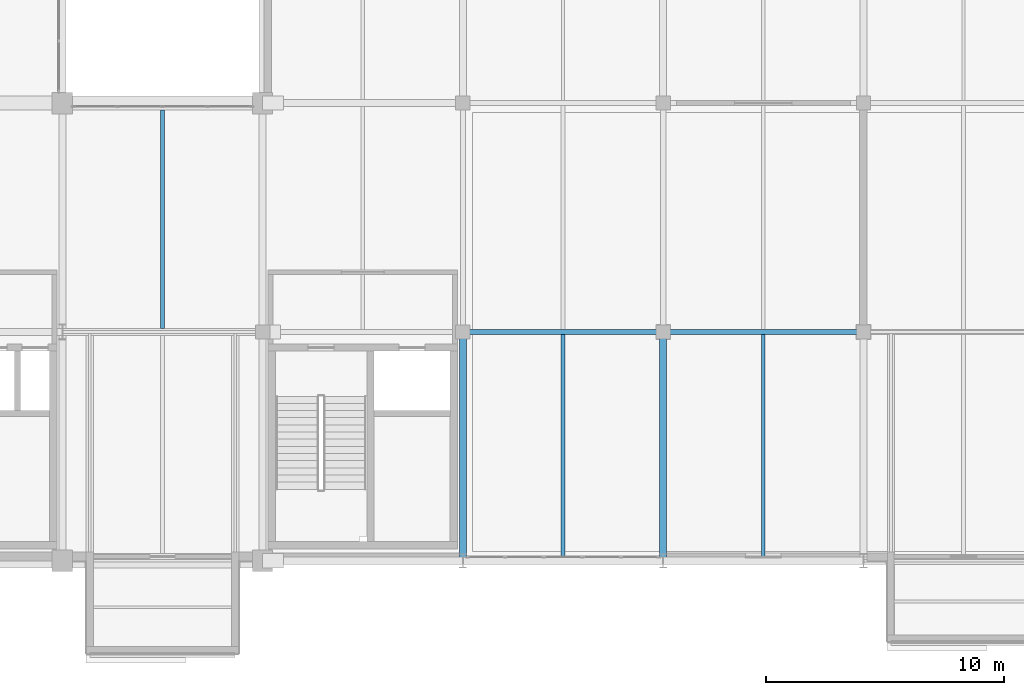
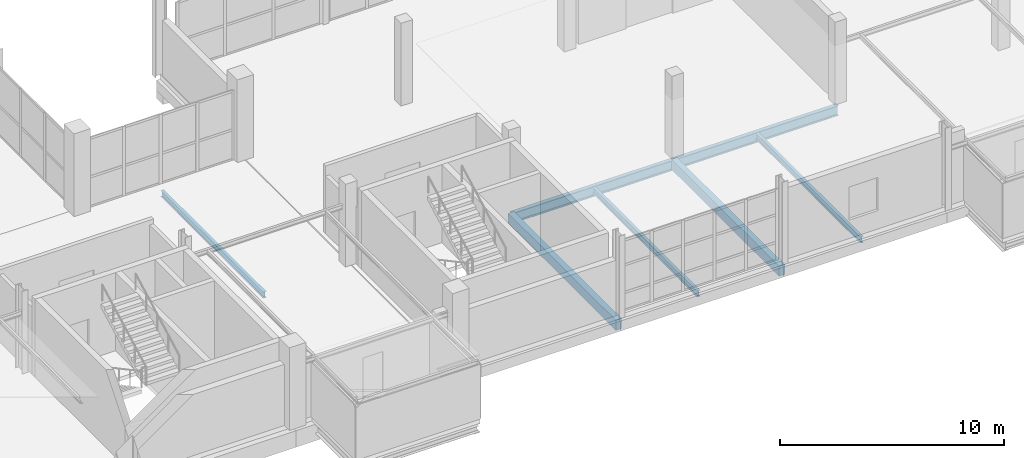
# One storey, part 53 of 130: 7 beams.
"""IFC4 building model written with IfcOpenShell, lengths in metres."""

import ifcopenshell
import ifcopenshell.guid

model = None  # the IFC model being written
_history = None  # IfcOwnerHistory: only IFC2X3 demands one
_inside = {}  # id of a spatial element -> (the spatial element, [elements in it])
_under = {}  # id of a project, library or spatial element -> (it, [spatial elements below it])
_declared = {}  # id of a project -> (the project, [libraries it declares])
_typed = {}  # id of a type object -> (the type object, [elements of that type])
_made_of = {}  # id of a material, layer set ... -> (it, [elements and type objects made of it])


def new_model(schema):
    """Start an empty IFC model of exactly this schema.

    Asked for "IFC4X3", IfcOpenShell would pick the latest addendum, in which some entities
    have other attributes; the version numbers below select the first issue.
    IFC2X3 requires an IfcOwnerHistory on every rooted entity: one is made here for all.
    """
    global model, _history
    if schema == "IFC4X3":
        model = ifcopenshell.file(schema_version=(4, 3, 0, 0))
    else:
        model = ifcopenshell.file(schema=schema)
    _inside.clear()
    _under.clear()
    _declared.clear()
    _typed.clear()
    _made_of.clear()
    _history = None
    if model.schema == "IFC2X3":
        org = make("IfcOrganization", Name="unknown")
        user = make(
            "IfcPersonAndOrganization",
            ThePerson=make("IfcPerson", FamilyName="unknown"),
            TheOrganization=org,
        )
        app = make(
            "IfcApplication",
            ApplicationDeveloper=org,
            Version="unknown",
            ApplicationFullName="unknown",
            ApplicationIdentifier="unknown",
        )
        _history = make(
            "IfcOwnerHistory",
            OwningUser=user,
            OwningApplication=app,
            ChangeAction="ADDED",
            CreationDate=0,
        )
    return model


def make(cls, **values):
    """One entity of the class cls with the attributes given. An attribute that is None is left unset."""
    return model.create_entity(
        cls, **{name: value for name, value in values.items() if value is not None}
    )


def rooted(cls, **values):
    """An entity with a GlobalId (a new one), such as an element, a storey or a relation."""
    return make(cls, GlobalId=ifcopenshell.guid.new(), OwnerHistory=_history, **values)


def si_unit(unit_type, name, prefix=None):
    """IfcSIUnit, for example si_unit("LENGTHUNIT", "METRE", prefix="MILLI")."""
    return make("IfcSIUnit", UnitType=unit_type, Prefix=prefix, Name=name)


def assignment(units):
    """IfcUnitAssignment: the units of a project."""
    return None if units is None else make("IfcUnitAssignment", Units=units)


def point(xyz):
    """IfcCartesianPoint."""
    return None if xyz is None else make("IfcCartesianPoint", Coordinates=xyz)


def direction(xyz):
    """IfcDirection."""
    return None if xyz is None else make("IfcDirection", DirectionRatios=xyz)


def frame(location, z_axis=None, x_axis=None):
    """IfcAxis2Placement3D, a coordinate frame: its origin and axes. An axis left out is left unset."""
    return make(
        "IfcAxis2Placement3D",
        Location=point(location),
        Axis=direction(z_axis),
        RefDirection=direction(x_axis),
    )


def frame_2d(location, x_axis=None):
    """IfcAxis2Placement2D, a coordinate frame in the plane: its origin and x axis."""
    return make(
        "IfcAxis2Placement2D", Location=point(location), RefDirection=direction(x_axis)
    )


def origin():
    """The frame at (0, 0, 0) with its axes left unset."""
    return frame((0.0, 0.0, 0.0))


def origin_2d():
    """The frame at (0, 0) in the plane with its x axis left unset."""
    return frame_2d((0.0, 0.0))


def place(relative_to, where):
    """IfcLocalPlacement: puts the frame where relative to a parent placement (None: the world)."""
    return make(
        "IfcLocalPlacement", PlacementRelTo=relative_to, RelativePlacement=where
    )


def context(
    kind, dimensions, precision=None, world=None, true_north=None, identifier=None
):
    """IfcGeometricRepresentationContext, for example the 3D "Model" context."""
    return make(
        "IfcGeometricRepresentationContext",
        ContextIdentifier=identifier,
        ContextType=kind,
        CoordinateSpaceDimension=dimensions,
        Precision=precision,
        WorldCoordinateSystem=world,
        TrueNorth=true_north,
    )


def subcontext(parent, identifier, kind, view, scale=None):
    """IfcGeometricRepresentationSubContext, for example "Body" below "Model"."""
    return make(
        "IfcGeometricRepresentationSubContext",
        ContextIdentifier=identifier,
        ContextType=kind,
        ParentContext=parent,
        TargetScale=scale,
        TargetView=view,
    )


def project(units=None, contexts=None):
    """IfcProject with its units and contexts."""
    return rooted(
        "IfcProject",
        Name="project",
        RepresentationContexts=contexts,
        UnitsInContext=assignment(units),
    )


def spatial(cls, under=None, at=None, **own):
    """A site, building, storey or space (cls), placed at a placement, below another one or the project."""
    s = rooted(cls, ObjectPlacement=at, **own)
    if under is not None:
        _under.setdefault(under.id(), (under, []))[1].append(s)
    return s


def profile(cls, at=None, kind="AREA", **sizes):
    """A parametric profile (cls). Its sizes go by their IFC names, for example OverallWidth=200.0."""
    return make(cls, ProfileType=kind, Position=at, **sizes)


def rectangle(**sizes):
    """IfcRectangleProfileDef."""
    return profile("IfcRectangleProfileDef", **sizes)


def i_section(**sizes):
    """IfcIShapeProfileDef."""
    return profile("IfcIShapeProfileDef", **sizes)


def extrude(swept, where, along, depth):
    """IfcExtrudedAreaSolid: the profile swept, set in the frame where, extruded along a direction by depth."""
    return make(
        "IfcExtrudedAreaSolid",
        SweptArea=swept,
        Position=where,
        ExtrudedDirection=direction(along),
        Depth=depth,
    )


def shape(context_of_items, identifier, shape_type, items):
    """IfcShapeRepresentation: the items that make up one representation, for example the "Body"."""
    return make(
        "IfcShapeRepresentation",
        ContextOfItems=context_of_items,
        RepresentationIdentifier=identifier,
        RepresentationType=shape_type,
        Items=items,
    )


def material(Name=None, Category=None):
    """IfcMaterial."""
    return make("IfcMaterial", Name=Name, Category=Category)


def material_profile(
    of_material, cross_section, Name=None, Category=None, Priority=None
):
    """IfcMaterialProfile: a cross section and its material."""
    return make(
        "IfcMaterialProfile",
        Name=Name,
        Material=of_material,
        Profile=cross_section,
        Priority=Priority,
        Category=Category,
    )


def profile_set(profiles, Name=None, composite=None):
    """IfcMaterialProfileSet."""
    return make(
        "IfcMaterialProfileSet",
        Name=Name,
        MaterialProfiles=profiles,
        CompositeProfile=composite,
    )


def made_of(thing, what):
    """Note that an element or type object is made of a material, layer set ...; save() writes the relation."""
    if what is not None:
        _made_of.setdefault(what.id(), (what, []))[1].append(thing)
    return thing


def type_object(cls, material=None, **own):
    """A type object (cls), such as IfcWallType, which elements share."""
    return made_of(rooted(cls, **own), material)


def element(
    cls,
    number,
    at=None,
    inside=None,
    cuts=None,
    type_object=None,
    material=None,
    context=None,
    identifier="Body",
    shape_type=None,
    held_by="IfcProductDefinitionShape",
    body=None,
    shapes=None,
    **own,
):
    """One element of the class cls, such as IfcWall. Its Tag is "e" and its number.

    at: its placement. inside: the storey or other place that contains it. cuts: it is an
    opening in that element (IfcRelVoidsElement). A single representation is given by context,
    identifier, shape_type and body (its items); several are given by shapes. held_by: the class
    of the entity that holds the representations. save() writes the other relations.
    """
    e = rooted(cls, Tag="e%d" % number, ObjectPlacement=at, **own)
    if body is not None:
        shapes = [shape(context, identifier, shape_type, body)]
    if shapes is not None:
        e.Representation = make(held_by, Representations=shapes)
    if inside is not None:
        _inside.setdefault(inside.id(), (inside, []))[1].append(e)
    if cuts is not None:
        rooted(
            "IfcRelVoidsElement", RelatingBuildingElement=cuts, RelatedOpeningElement=e
        )
    if type_object is not None:
        _typed.setdefault(type_object.id(), (type_object, []))[1].append(e)
    return made_of(e, material)


def aggregate(whole, parts):
    """IfcRelAggregates: a whole, such as a stair, and the parts it consists of."""
    return rooted("IfcRelAggregates", RelatingObject=whole, RelatedObjects=parts)


def save(model, path):
    """Write the relations noted so far, then the file.

    IfcRelAggregates (storeys below a building ...), IfcRelContainedInSpatialStructure (elements
    in a storey), IfcRelDefinesByType, IfcRelAssociatesMaterial and IfcRelDeclares: one each for
    every whole, place, type object, material and project.
    """
    for whole, parts in _under.values():
        aggregate(whole, parts)
    for where, things in _inside.values():
        rooted(
            "IfcRelContainedInSpatialStructure",
            RelatedElements=things,
            RelatingStructure=where,
        )
    for kind, things in _typed.values():
        rooted("IfcRelDefinesByType", RelatedObjects=things, RelatingType=kind)
    for what, things in _made_of.values():
        rooted("IfcRelAssociatesMaterial", RelatedObjects=things, RelatingMaterial=what)
    for by, libraries in _declared.values():
        rooted("IfcRelDeclares", RelatingContext=by, RelatedDefinitions=libraries)
    model.write(path)


model = new_model("IFC4")

# Units and contexts
model_context = context("Model", 3, precision=1e-05, world=origin(), true_north=direction((0.0, 1.0)))
body_context = subcontext(model_context, "Body", "Model", "MODEL_VIEW")
ifc_project = project(units=[si_unit("LENGTHUNIT", "METRE"), si_unit("AREAUNIT", "SQUARE_METRE"), si_unit("VOLUMEUNIT", "CUBIC_METRE"), si_unit("PLANEANGLEUNIT", "RADIAN"), si_unit("MASSUNIT", "GRAM", prefix="KILO")], contexts=[model_context])

# Site, building, storey
site_placement = place(None, origin())
site = spatial("IfcSite", under=ifc_project, at=site_placement, CompositionType="ELEMENT")
building_placement = place(site_placement, origin())
building = spatial("IfcBuilding", under=site, at=building_placement, Name="Veltarok Museum of Natural Sciences", CompositionType="ELEMENT")
storey_placement = place(building_placement, frame((0.0, 0.0, 12.89990234375)))
storey = spatial("IfcBuildingStorey", under=building, at=storey_placement, Name="L02", CompositionType="ELEMENT", Elevation=12.89990234375)

# Beams
ifc_material_1 = material(Name="Steel S355J2", Category="steel")
ifc_material_profile_1 = material_profile(ifc_material_1, i_section(OverallWidth=0.2099609375, OverallDepth=0.550048828125, WebThickness=0.010986328125, FlangeThickness=0.01708984375, FilletRadius=0.02392578125, at=origin_2d()), Name="IPE 550")
ifc_profile_set_1 = profile_set([ifc_material_profile_1], Name="Steel S355J2")
beam_type_1 = type_object("IfcBeamType", Name="Archive Heavy Girder IPE 550", PredefinedType="BEAM", material=ifc_profile_set_1)
for number, where, z_axis, x_axis, name in (
    (1, (115.60009765625, 9.60009765625, -0.52490234375), (1.0, 0.0, 0.0), (0.0, 1.0, 0.0), "Beam BM-G03 L02 14-15/B"),
    (2, (124.0, 9.60009765625, -0.52490234375), (1.0, 0.0, 0.0), (0.0, 1.0, 0.0), "Beam BM-G03 L02 15-16/B"),
):
    element("IfcBeam", number, at=place(storey_placement, frame(where, z_axis=z_axis, x_axis=x_axis)), inside=storey, type_object=beam_type_1, Name=name, PredefinedType="BEAM", context=body_context, shape_type="SweptSolid", body=[
        extrude(i_section(OverallWidth=0.2099609375, OverallDepth=0.550048828125, WebThickness=0.010986328125, FlangeThickness=0.01708984375, FilletRadius=0.02392578125, at=origin_2d()), origin(), (0.0, 0.0, 1.0), 8.39990234375),
    ])
ifc_material_2 = material(Name="Precast concrete C40/50", Category="concrete")
ifc_material_profile_2 = material_profile(ifc_material_2, rectangle(XDim=0.300048828125, YDim=0.550048828125, at=origin_2d()), Name="RC 300x550")
ifc_profile_set_2 = profile_set([ifc_material_profile_2], Name="Precast concrete C40/50")
beam_type_2 = type_object("IfcBeamType", Name="East Wing Precast Spandrel RC 300x550", PredefinedType="SPANDREL", material=ifc_profile_set_2)
for number, where, z_axis, x_axis, name in (
    (3, (115.60009765625, 0.0, -0.52490234375), (0.0, 1.0, 0.0), (-1.0, 0.0, 0.0), "Beam BM-SP02 L02 14/A-B"),
    (4, (124.0, 0.0, -0.52490234375), (0.0, 1.0, 0.0), (-1.0, 0.0, 0.0), "Beam BM-SP02 L02 15/A-B"),
):
    element("IfcBeam", number, at=place(storey_placement, frame(where, z_axis=z_axis, x_axis=x_axis)), inside=storey, type_object=beam_type_2, Name=name, PredefinedType="SPANDREL", context=body_context, shape_type="SweptSolid", body=[
        extrude(rectangle(XDim=0.300048828125, YDim=0.550048828125, at=origin_2d()), origin(), (0.0, 0.0, 1.0), 9.60009765625),
    ])
ifc_material_profile_3 = material_profile(ifc_material_1, i_section(OverallWidth=0.159912109375, OverallDepth=0.330078125, WebThickness=0.007568359375, FlangeThickness=0.011474609375, FilletRadius=0.01806640625, at=origin_2d()), Name="IPE 330")
ifc_profile_set_3 = profile_set([ifc_material_profile_3], Name="Steel S355J2")
beam_type_3 = type_object("IfcBeamType", Name="Medium-Bay Composite Joist IPE 330", PredefinedType="JOIST", material=ifc_profile_set_3)
beam_placement = place(storey_placement, frame((103.0, 9.748046875, -0.414794921875), z_axis=(0.0, 1.0, 0.0), x_axis=(-1.0, 0.0, 0.0)))
element("IfcBeam", 5, at=beam_placement, inside=storey, type_object=beam_type_3, Name="Secondary Joist BM-J02 L02 12-13/B-C.1", PredefinedType="JOIST", context=body_context, shape_type="SweptSolid", body=[
    extrude(i_section(OverallWidth=0.159912109375, OverallDepth=0.330078125, WebThickness=0.007568359375, FlangeThickness=0.011474609375, FilletRadius=0.01806640625, at=origin_2d()), origin(), (0.0, 0.0, 1.0), 9.154052734375),
])
for number, where, z_axis, x_axis, name in (
    (6, (119.800048828125, 0.14794921875, -0.414794921875), (0.0, 1.0, 0.0), (-1.0, 0.0, 0.0), "Secondary Joist BM-J02 L02 14-15/A-B.1"),
    (7, (128.199951171875, 0.14794921875, -0.414794921875), (0.0, 1.0, 0.0), (-1.0, 0.0, 0.0), "Secondary Joist BM-J02 L02 15-16/A-B.1"),
):
    element("IfcBeam", number, at=place(storey_placement, frame(where, z_axis=z_axis, x_axis=x_axis)), inside=storey, type_object=beam_type_3, Name=name, PredefinedType="JOIST", context=body_context, shape_type="SweptSolid", body=[
        extrude(i_section(OverallWidth=0.159912109375, OverallDepth=0.330078125, WebThickness=0.007568359375, FlangeThickness=0.011474609375, FilletRadius=0.01806640625, at=origin_2d()), origin(), (0.0, 0.0, 1.0), 9.34912109375),
    ])

save(model, "model.ifc")
